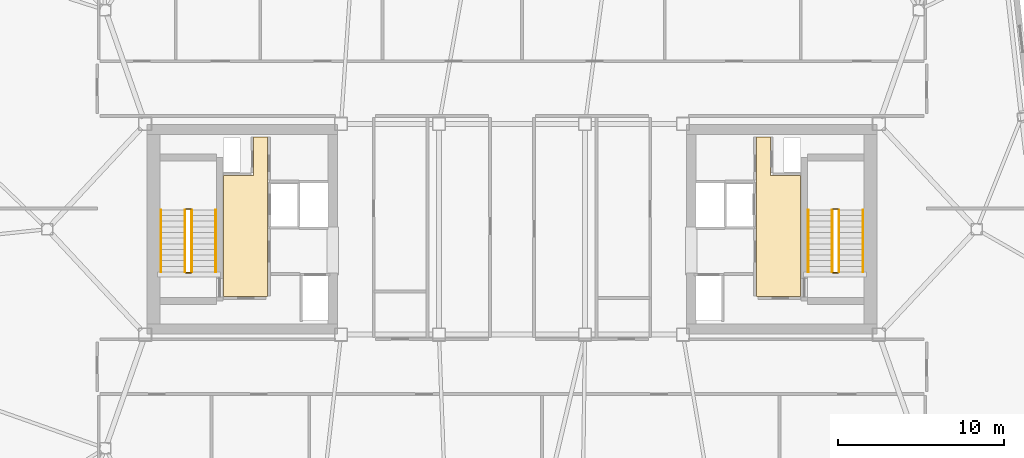
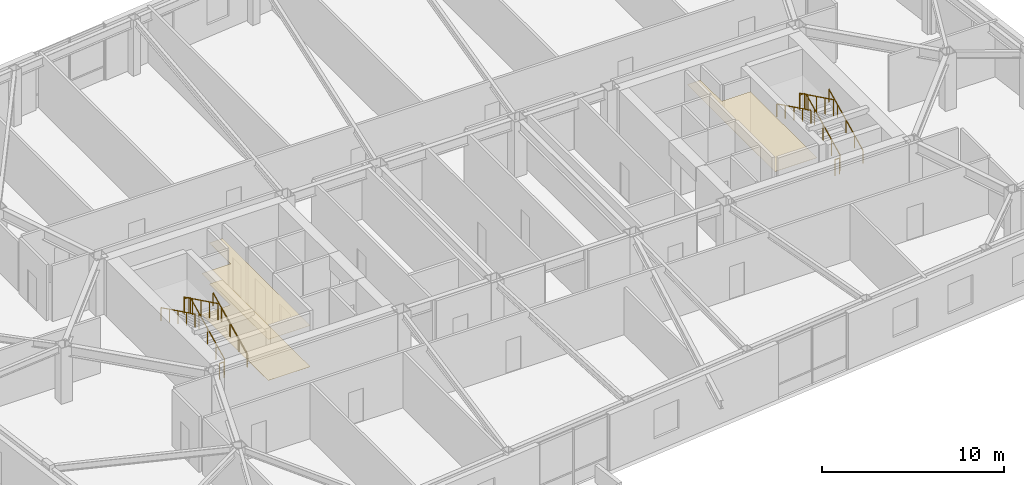
# One storey, part 18 of 18: 12 railings, 3 coverings.
"""IFC4 building model written with IfcOpenShell, lengths in metres."""

import ifcopenshell
import ifcopenshell.guid

model = None  # the IFC model being written
_history = None  # IfcOwnerHistory: only IFC2X3 demands one
_inside = {}  # id of a spatial element -> (the spatial element, [elements in it])
_under = {}  # id of a project, library or spatial element -> (it, [spatial elements below it])
_declared = {}  # id of a project -> (the project, [libraries it declares])
_typed = {}  # id of a type object -> (the type object, [elements of that type])
_made_of = {}  # id of a material, layer set ... -> (it, [elements and type objects made of it])


def new_model(schema):
    """Start an empty IFC model of exactly this schema.

    Asked for "IFC4X3", IfcOpenShell would pick the latest addendum, in which some entities
    have other attributes; the version numbers below select the first issue.
    IFC2X3 requires an IfcOwnerHistory on every rooted entity: one is made here for all.
    """
    global model, _history
    if schema == "IFC4X3":
        model = ifcopenshell.file(schema_version=(4, 3, 0, 0))
    else:
        model = ifcopenshell.file(schema=schema)
    _inside.clear()
    _under.clear()
    _declared.clear()
    _typed.clear()
    _made_of.clear()
    _history = None
    if model.schema == "IFC2X3":
        org = make("IfcOrganization", Name="unknown")
        user = make(
            "IfcPersonAndOrganization",
            ThePerson=make("IfcPerson", FamilyName="unknown"),
            TheOrganization=org,
        )
        app = make(
            "IfcApplication",
            ApplicationDeveloper=org,
            Version="unknown",
            ApplicationFullName="unknown",
            ApplicationIdentifier="unknown",
        )
        _history = make(
            "IfcOwnerHistory",
            OwningUser=user,
            OwningApplication=app,
            ChangeAction="ADDED",
            CreationDate=0,
        )
    return model


def make(cls, **values):
    """One entity of the class cls with the attributes given. An attribute that is None is left unset."""
    return model.create_entity(
        cls, **{name: value for name, value in values.items() if value is not None}
    )


def rooted(cls, **values):
    """An entity with a GlobalId (a new one), such as an element, a storey or a relation."""
    return make(cls, GlobalId=ifcopenshell.guid.new(), OwnerHistory=_history, **values)


def si_unit(unit_type, name, prefix=None):
    """IfcSIUnit, for example si_unit("LENGTHUNIT", "METRE", prefix="MILLI")."""
    return make("IfcSIUnit", UnitType=unit_type, Prefix=prefix, Name=name)


def assignment(units):
    """IfcUnitAssignment: the units of a project."""
    return None if units is None else make("IfcUnitAssignment", Units=units)


def point(xyz):
    """IfcCartesianPoint."""
    return None if xyz is None else make("IfcCartesianPoint", Coordinates=xyz)


def direction(xyz):
    """IfcDirection."""
    return None if xyz is None else make("IfcDirection", DirectionRatios=xyz)


def frame(location, z_axis=None, x_axis=None):
    """IfcAxis2Placement3D, a coordinate frame: its origin and axes. An axis left out is left unset."""
    return make(
        "IfcAxis2Placement3D",
        Location=point(location),
        Axis=direction(z_axis),
        RefDirection=direction(x_axis),
    )


def frame_2d(location, x_axis=None):
    """IfcAxis2Placement2D, a coordinate frame in the plane: its origin and x axis."""
    return make(
        "IfcAxis2Placement2D", Location=point(location), RefDirection=direction(x_axis)
    )


def origin():
    """The frame at (0, 0, 0) with its axes left unset."""
    return frame((0.0, 0.0, 0.0))


def origin_2d():
    """The frame at (0, 0) in the plane with its x axis left unset."""
    return frame_2d((0.0, 0.0))


def place(relative_to, where):
    """IfcLocalPlacement: puts the frame where relative to a parent placement (None: the world)."""
    return make(
        "IfcLocalPlacement", PlacementRelTo=relative_to, RelativePlacement=where
    )


def context(
    kind, dimensions, precision=None, world=None, true_north=None, identifier=None
):
    """IfcGeometricRepresentationContext, for example the 3D "Model" context."""
    return make(
        "IfcGeometricRepresentationContext",
        ContextIdentifier=identifier,
        ContextType=kind,
        CoordinateSpaceDimension=dimensions,
        Precision=precision,
        WorldCoordinateSystem=world,
        TrueNorth=true_north,
    )


def subcontext(parent, identifier, kind, view, scale=None):
    """IfcGeometricRepresentationSubContext, for example "Body" below "Model"."""
    return make(
        "IfcGeometricRepresentationSubContext",
        ContextIdentifier=identifier,
        ContextType=kind,
        ParentContext=parent,
        TargetScale=scale,
        TargetView=view,
    )


def project(units=None, contexts=None):
    """IfcProject with its units and contexts."""
    return rooted(
        "IfcProject",
        Name="project",
        RepresentationContexts=contexts,
        UnitsInContext=assignment(units),
    )


def spatial(cls, under=None, at=None, **own):
    """A site, building, storey or space (cls), placed at a placement, below another one or the project."""
    s = rooted(cls, ObjectPlacement=at, **own)
    if under is not None:
        _under.setdefault(under.id(), (under, []))[1].append(s)
    return s


def polyline(points):
    """IfcPolyline through the points."""
    return make("IfcPolyline", Points=[point(p) for p in points])


def profile(cls, at=None, kind="AREA", **sizes):
    """A parametric profile (cls). Its sizes go by their IFC names, for example OverallWidth=200.0."""
    return make(cls, ProfileType=kind, Position=at, **sizes)


def rectangle(**sizes):
    """IfcRectangleProfileDef."""
    return profile("IfcRectangleProfileDef", **sizes)


def outline(outer, holes=None, kind="AREA"):
    """IfcArbitraryClosedProfileDef: a profile drawn as a closed curve; with holes, ...WithVoids."""
    if holes is None:
        return make("IfcArbitraryClosedProfileDef", ProfileType=kind, OuterCurve=outer)
    return make(
        "IfcArbitraryProfileDefWithVoids",
        ProfileType=kind,
        OuterCurve=outer,
        InnerCurves=holes,
    )


def extrude(swept, where, along, depth):
    """IfcExtrudedAreaSolid: the profile swept, set in the frame where, extruded along a direction by depth."""
    return make(
        "IfcExtrudedAreaSolid",
        SweptArea=swept,
        Position=where,
        ExtrudedDirection=direction(along),
        Depth=depth,
    )


def shape(context_of_items, identifier, shape_type, items):
    """IfcShapeRepresentation: the items that make up one representation, for example the "Body"."""
    return make(
        "IfcShapeRepresentation",
        ContextOfItems=context_of_items,
        RepresentationIdentifier=identifier,
        RepresentationType=shape_type,
        Items=items,
    )


def material(Name=None, Category=None):
    """IfcMaterial."""
    return make("IfcMaterial", Name=Name, Category=Category)


def layer(
    of_material, thickness, ventilated=None, Name=None, Category=None, Priority=None
):
    """IfcMaterialLayer: one layer of a wall or slab, of a material (None: an air gap)."""
    return make(
        "IfcMaterialLayer",
        Material=of_material,
        LayerThickness=thickness,
        IsVentilated=ventilated,
        Name=Name,
        Category=Category,
        Priority=Priority,
    )


def layer_set(layers, Name=None):
    """IfcMaterialLayerSet."""
    return make("IfcMaterialLayerSet", MaterialLayers=layers, LayerSetName=Name)


def made_of(thing, what):
    """Note that an element or type object is made of a material, layer set ...; save() writes the relation."""
    if what is not None:
        _made_of.setdefault(what.id(), (what, []))[1].append(thing)
    return thing


def type_object(cls, material=None, **own):
    """A type object (cls), such as IfcWallType, which elements share."""
    return made_of(rooted(cls, **own), material)


def element(
    cls,
    number,
    at=None,
    inside=None,
    cuts=None,
    type_object=None,
    material=None,
    context=None,
    identifier="Body",
    shape_type=None,
    held_by="IfcProductDefinitionShape",
    body=None,
    shapes=None,
    **own,
):
    """One element of the class cls, such as IfcWall. Its Tag is "e" and its number.

    at: its placement. inside: the storey or other place that contains it. cuts: it is an
    opening in that element (IfcRelVoidsElement). A single representation is given by context,
    identifier, shape_type and body (its items); several are given by shapes. held_by: the class
    of the entity that holds the representations. save() writes the other relations.
    """
    e = rooted(cls, Tag="e%d" % number, ObjectPlacement=at, **own)
    if body is not None:
        shapes = [shape(context, identifier, shape_type, body)]
    if shapes is not None:
        e.Representation = make(held_by, Representations=shapes)
    if inside is not None:
        _inside.setdefault(inside.id(), (inside, []))[1].append(e)
    if cuts is not None:
        rooted(
            "IfcRelVoidsElement", RelatingBuildingElement=cuts, RelatedOpeningElement=e
        )
    if type_object is not None:
        _typed.setdefault(type_object.id(), (type_object, []))[1].append(e)
    return made_of(e, material)


def aggregate(whole, parts):
    """IfcRelAggregates: a whole, such as a stair, and the parts it consists of."""
    return rooted("IfcRelAggregates", RelatingObject=whole, RelatedObjects=parts)


def save(model, path):
    """Write the relations noted so far, then the file.

    IfcRelAggregates (storeys below a building ...), IfcRelContainedInSpatialStructure (elements
    in a storey), IfcRelDefinesByType, IfcRelAssociatesMaterial and IfcRelDeclares: one each for
    every whole, place, type object, material and project.
    """
    for whole, parts in _under.values():
        aggregate(whole, parts)
    for where, things in _inside.values():
        rooted(
            "IfcRelContainedInSpatialStructure",
            RelatedElements=things,
            RelatingStructure=where,
        )
    for kind, things in _typed.values():
        rooted("IfcRelDefinesByType", RelatedObjects=things, RelatingType=kind)
    for what, things in _made_of.values():
        rooted("IfcRelAssociatesMaterial", RelatedObjects=things, RelatingMaterial=what)
    for by, libraries in _declared.values():
        rooted("IfcRelDeclares", RelatingContext=by, RelatedDefinitions=libraries)
    model.write(path)


model = new_model("IFC4")

# Units and contexts
model_context = context("Model", 3, precision=1e-05, world=origin(), true_north=direction((0.0, 1.0)))
body_context = subcontext(model_context, "Body", "Model", "MODEL_VIEW")
ifc_project = project(units=[si_unit("LENGTHUNIT", "METRE"), si_unit("AREAUNIT", "SQUARE_METRE"), si_unit("VOLUMEUNIT", "CUBIC_METRE"), si_unit("PLANEANGLEUNIT", "RADIAN"), si_unit("MASSUNIT", "GRAM", prefix="KILO")], contexts=[model_context])

# Site, building, storey
site_placement = place(None, origin())
site = spatial("IfcSite", under=ifc_project, at=site_placement, CompositionType="ELEMENT")
building_placement = place(site_placement, origin())
building = spatial("IfcBuilding", under=site, at=building_placement, Name="Tavrogorsk Clinical Tower", CompositionType="ELEMENT")
storey_placement = place(building_placement, frame((0.0, 0.0, 230.199951171875)))
storey = spatial("IfcBuildingStorey", under=building, at=storey_placement, Name="L53", CompositionType="ELEMENT", Elevation=230.199951171875)

# Coverings
ifc_material_1 = material(Name="Antibacterial micro-perforated aluminium ceiling", Category="aluminium")
ifc_layer_1 = layer(ifc_material_1, 0.014892578125)
ifc_layer_set_1 = layer_set([ifc_layer_1], Name="Antibacterial micro-perforated aluminium ceiling")
covering_type_1 = type_object("IfcCoveringType", Name="ClinicalCeiling_15", PredefinedType="CEILING", material=ifc_layer_set_1)
covering_1_placement = place(storey_placement, frame((0.0, 0.0, 2.75)))
element("IfcCovering", 1, at=covering_1_placement, inside=storey, type_object=covering_type_1, Name="Core West Firefighting Lift Lobby Acoustic Ceiling", PredefinedType="CEILING", context=body_context, shape_type="SweptSolid", body=[
    extrude(outline(polyline([(-14.719970703125, 5.56005859375), (-14.719970703125, -4.06005859375), (-17.3798828125, -4.06005859375), (-17.3798828125, 3.239990234375), (-15.56005859375, 3.239990234375), (-15.56005859375, 5.56005859375), (-14.719970703125, 5.56005859375)])), origin(), (0.0, 0.0, 1.0), 0.01513671875),
])
covering_2_placement = place(storey_placement, frame((0.0, 0.0, 2.75)))
element("IfcCovering", 2, at=covering_2_placement, inside=storey, type_object=covering_type_1, Name="Core East Firefighting Lift Lobby Acoustic Ceiling", PredefinedType="CEILING", context=body_context, shape_type="SweptSolid", body=[
    extrude(outline(polyline([(17.3798828125, -4.06005859375), (14.719970703125, -4.06005859375), (14.719970703125, 5.56005859375), (15.56005859375, 5.56005859375), (15.56005859375, 3.239990234375), (17.3798828125, 3.239990234375), (17.3798828125, -4.06005859375)])), origin(), (0.0, 0.0, 1.0), 0.01513671875),
])
ifc_material_2 = material(Name="Homogeneous medical conductive PVC flooring")
ifc_layer_2 = layer(ifc_material_2, 0.008056640625)
ifc_layer_set_2 = layer_set([ifc_layer_2], Name="Homogeneous medical conductive PVC flooring")
covering_type_2 = type_object("IfcCoveringType", Name="ResilientVinylFloor_8", PredefinedType="FLOORING", material=ifc_layer_set_2)
covering_3_placement = place(storey_placement, origin())
element("IfcCovering", 3, at=covering_3_placement, inside=storey, type_object=covering_type_2, Name="Core West Firefighting Lift Lobby Conductive Vinyl Flooring", PredefinedType="FLOORING", context=body_context, shape_type="SweptSolid", body=[
    extrude(outline(polyline([(-14.719970703125, 5.56005859375), (-14.719970703125, -4.06005859375), (-17.3798828125, -4.06005859375), (-17.3798828125, 3.239990234375), (-15.56005859375, 3.239990234375), (-15.56005859375, 5.56005859375), (-14.719970703125, 5.56005859375)])), origin(), (0.0, 0.0, 1.0), 0.008056640625),
])

# Railings
ifc_material_3 = material(Name="Galvanised steel S355 safety stairwell guard", Category="steel")
ifc_layer_3 = layer(ifc_material_3, 0.06005859375)
ifc_layer_set_3 = layer_set([ifc_layer_3], Name="Galvanised steel S355 safety stairwell guard")
railing_type_1 = type_object("IfcRailingType", Name="StairGuard_1150", PredefinedType="GUARDRAIL", material=ifc_layer_set_3)
railing_1_placement = place(storey_placement, frame((-19.300048828125, -2.574951171875, 0.166748046875)))
element("IfcRailing", 4, at=railing_1_placement, inside=storey, type_object=railing_type_1, Name="L53 ST-W stair guard 1", PredefinedType="GUARDRAIL", context=body_context, shape_type="SweptSolid", body=[
    extrude(rectangle(XDim=0.048095703125, YDim=0.048095703125, at=origin_2d()), frame((0.0, 0.0, 1.076171875), z_axis=(0.0, 0.897927990467, 0.440142390523), x_axis=(-1.0, 0.0, 0.0)), (0.0, 0.0, 1.0), 4.1650390625),
    extrude(rectangle(XDim=0.0419921875, YDim=0.0419921875, at=origin_2d()), origin(), (0.0, 0.0, 1.0), 1.052001953125),
    extrude(rectangle(XDim=0.0419921875, YDim=0.0419921875, at=origin_2d()), frame((0.0, 0.93505859375, 0.458251953125)), (0.0, 0.0, 1.0), 1.052001953125),
    extrude(rectangle(XDim=0.0419921875, YDim=0.0419921875, at=origin_2d()), frame((0.0, 1.8701171875, 0.91650390625)), (0.0, 0.0, 1.0), 1.052001953125),
    extrude(rectangle(XDim=0.0419921875, YDim=0.0419921875, at=origin_2d()), frame((0.0, 2.804931640625, 1.375)), (0.0, 0.0, 1.0), 1.052001953125),
    extrude(rectangle(XDim=0.0419921875, YDim=0.0419921875, at=origin_2d()), frame((0.0, 3.739990234375, 1.833251953125)), (0.0, 0.0, 1.0), 1.052001953125),
])
railing_2_placement = place(storey_placement, frame((-19.35009765625, 1.215087890625, 2.0)))
element("IfcRailing", 5, at=railing_2_placement, inside=storey, type_object=railing_type_1, Name="L53 ST-W stair guard 2", PredefinedType="GUARDRAIL", context=body_context, shape_type="SweptSolid", body=[
    extrude(rectangle(XDim=0.048095703125, YDim=0.048095703125, at=origin_2d()), frame((0.0, 0.0, 1.076171875), z_axis=(-1.0, 0.0, 0.0), x_axis=(0.0, -1.0, 0.0)), (0.0, 0.0, 1.0), 0.2998046875),
    extrude(rectangle(XDim=0.0419921875, YDim=0.0419921875, at=origin_2d()), origin(), (0.0, 0.0, 1.0), 1.052001953125),
    extrude(rectangle(XDim=0.0419921875, YDim=0.0419921875, at=origin_2d()), frame((-0.2998046875, 0.0, 0.0)), (0.0, 0.0, 1.0), 1.052001953125),
])
railing_3_placement = place(storey_placement, frame((-19.699951171875, 1.1650390625, 2.166748046875)))
element("IfcRailing", 6, at=railing_3_placement, inside=storey, type_object=railing_type_1, Name="L53 ST-W stair guard 3", PredefinedType="GUARDRAIL", context=body_context, shape_type="SweptSolid", body=[
    extrude(rectangle(XDim=0.048095703125, YDim=0.048095703125, at=origin_2d()), frame((0.0, 0.0, 1.076171875), z_axis=(0.0, -0.897927990467, 0.440142390523), x_axis=(1.0, 0.0, 0.0)), (0.0, 0.0, 1.0), 4.1650390625),
    extrude(rectangle(XDim=0.0419921875, YDim=0.0419921875, at=origin_2d()), origin(), (0.0, 0.0, 1.0), 1.052001953125),
    extrude(rectangle(XDim=0.0419921875, YDim=0.0419921875, at=origin_2d()), frame((0.0, -0.93505859375, 0.458251953125)), (0.0, 0.0, 1.0), 1.052001953125),
    extrude(rectangle(XDim=0.0419921875, YDim=0.0419921875, at=origin_2d()), frame((0.0, -1.8701171875, 0.91650390625)), (0.0, 0.0, 1.0), 1.052001953125),
    extrude(rectangle(XDim=0.0419921875, YDim=0.0419921875, at=origin_2d()), frame((0.0, -2.804931640625, 1.375)), (0.0, 0.0, 1.0), 1.052001953125),
    extrude(rectangle(XDim=0.0419921875, YDim=0.0419921875, at=origin_2d()), frame((0.0, -3.739990234375, 1.833251953125)), (0.0, 0.0, 1.0), 1.052001953125),
])
railing_4_placement = place(storey_placement, frame((-19.35009765625, -2.625, 0.0)))
element("IfcRailing", 7, at=railing_4_placement, inside=storey, type_object=railing_type_1, Name="L53 ST-W stair guard 4", PredefinedType="GUARDRAIL", context=body_context, shape_type="SweptSolid", body=[
    extrude(rectangle(XDim=0.048095703125, YDim=0.048095703125, at=origin_2d()), frame((0.0, 0.0, 1.076171875), z_axis=(-1.0, 0.0, 0.0), x_axis=(0.0, -1.0, 0.0)), (0.0, 0.0, 1.0), 0.2998046875),
    extrude(rectangle(XDim=0.0419921875, YDim=0.0419921875, at=origin_2d()), origin(), (0.0, 0.0, 1.0), 1.052001953125),
    extrude(rectangle(XDim=0.0419921875, YDim=0.0419921875, at=origin_2d()), frame((-0.2998046875, 0.0, 0.0)), (0.0, 0.0, 1.0), 1.052001953125),
])
railing_5_placement = place(storey_placement, frame((19.699951171875, -2.574951171875, 0.166748046875)))
element("IfcRailing", 8, at=railing_5_placement, inside=storey, type_object=railing_type_1, Name="L53 ST-E stair guard 1", PredefinedType="GUARDRAIL", context=body_context, shape_type="SweptSolid", body=[
    extrude(rectangle(XDim=0.048095703125, YDim=0.048095703125, at=origin_2d()), frame((0.0, 0.0, 1.076171875), z_axis=(0.0, 0.897927990467, 0.440142390523), x_axis=(-1.0, 0.0, 0.0)), (0.0, 0.0, 1.0), 4.1650390625),
    extrude(rectangle(XDim=0.0419921875, YDim=0.0419921875, at=origin_2d()), origin(), (0.0, 0.0, 1.0), 1.052001953125),
    extrude(rectangle(XDim=0.0419921875, YDim=0.0419921875, at=origin_2d()), frame((0.0, 0.93505859375, 0.458251953125)), (0.0, 0.0, 1.0), 1.052001953125),
    extrude(rectangle(XDim=0.0419921875, YDim=0.0419921875, at=origin_2d()), frame((0.0, 1.8701171875, 0.91650390625)), (0.0, 0.0, 1.0), 1.052001953125),
    extrude(rectangle(XDim=0.0419921875, YDim=0.0419921875, at=origin_2d()), frame((0.0, 2.804931640625, 1.375)), (0.0, 0.0, 1.0), 1.052001953125),
    extrude(rectangle(XDim=0.0419921875, YDim=0.0419921875, at=origin_2d()), frame((0.0, 3.739990234375, 1.833251953125)), (0.0, 0.0, 1.0), 1.052001953125),
])
railing_6_placement = place(storey_placement, frame((19.64990234375, 1.215087890625, 2.0)))
element("IfcRailing", 9, at=railing_6_placement, inside=storey, type_object=railing_type_1, Name="L53 ST-E stair guard 2", PredefinedType="GUARDRAIL", context=body_context, shape_type="SweptSolid", body=[
    extrude(rectangle(XDim=0.048095703125, YDim=0.048095703125, at=origin_2d()), frame((0.0, 0.0, 1.076171875), z_axis=(-1.0, 0.0, 0.0), x_axis=(0.0, -1.0, 0.0)), (0.0, 0.0, 1.0), 0.2998046875),
    extrude(rectangle(XDim=0.0419921875, YDim=0.0419921875, at=origin_2d()), origin(), (0.0, 0.0, 1.0), 1.052001953125),
    extrude(rectangle(XDim=0.0419921875, YDim=0.0419921875, at=origin_2d()), frame((-0.2998046875, 0.0, 0.0)), (0.0, 0.0, 1.0), 1.052001953125),
])
railing_7_placement = place(storey_placement, frame((19.300048828125, 1.1650390625, 2.166748046875)))
element("IfcRailing", 10, at=railing_7_placement, inside=storey, type_object=railing_type_1, Name="L53 ST-E stair guard 3", PredefinedType="GUARDRAIL", context=body_context, shape_type="SweptSolid", body=[
    extrude(rectangle(XDim=0.048095703125, YDim=0.048095703125, at=origin_2d()), frame((0.0, 0.0, 1.076171875), z_axis=(0.0, -0.897927990467, 0.440142390523), x_axis=(1.0, 0.0, 0.0)), (0.0, 0.0, 1.0), 4.1650390625),
    extrude(rectangle(XDim=0.0419921875, YDim=0.0419921875, at=origin_2d()), origin(), (0.0, 0.0, 1.0), 1.052001953125),
    extrude(rectangle(XDim=0.0419921875, YDim=0.0419921875, at=origin_2d()), frame((0.0, -0.93505859375, 0.458251953125)), (0.0, 0.0, 1.0), 1.052001953125),
    extrude(rectangle(XDim=0.0419921875, YDim=0.0419921875, at=origin_2d()), frame((0.0, -1.8701171875, 0.91650390625)), (0.0, 0.0, 1.0), 1.052001953125),
    extrude(rectangle(XDim=0.0419921875, YDim=0.0419921875, at=origin_2d()), frame((0.0, -2.804931640625, 1.375)), (0.0, 0.0, 1.0), 1.052001953125),
    extrude(rectangle(XDim=0.0419921875, YDim=0.0419921875, at=origin_2d()), frame((0.0, -3.739990234375, 1.833251953125)), (0.0, 0.0, 1.0), 1.052001953125),
])
railing_8_placement = place(storey_placement, frame((19.64990234375, -2.625, 0.0)))
element("IfcRailing", 11, at=railing_8_placement, inside=storey, type_object=railing_type_1, Name="L53 ST-E stair guard 4", PredefinedType="GUARDRAIL", context=body_context, shape_type="SweptSolid", body=[
    extrude(rectangle(XDim=0.048095703125, YDim=0.048095703125, at=origin_2d()), frame((0.0, 0.0, 1.076171875), z_axis=(-1.0, 0.0, 0.0), x_axis=(0.0, -1.0, 0.0)), (0.0, 0.0, 1.0), 0.2998046875),
    extrude(rectangle(XDim=0.0419921875, YDim=0.0419921875, at=origin_2d()), origin(), (0.0, 0.0, 1.0), 1.052001953125),
    extrude(rectangle(XDim=0.0419921875, YDim=0.0419921875, at=origin_2d()), frame((-0.2998046875, 0.0, 0.0)), (0.0, 0.0, 1.0), 1.052001953125),
])
ifc_material_4 = material(Name="Stainless steel AISI 304 tubular handrail", Category="steel")
ifc_layer_4 = layer(ifc_material_4, 0.050048828125)
ifc_layer_set_4 = layer_set([ifc_layer_4], Name="Stainless steel AISI 304 tubular handrail")
railing_type_2 = type_object("IfcRailingType", Name="StairHandrail_920", PredefinedType="HANDRAIL", material=ifc_layer_set_4)
railing_9_placement = place(storey_placement, frame((-17.85009765625, -2.574951171875, 0.166748046875)))
element("IfcRailing", 12, at=railing_9_placement, inside=storey, type_object=railing_type_2, Name="L53 ST-W stair handrail 1", PredefinedType="HANDRAIL", context=body_context, shape_type="SweptSolid", body=[
    extrude(rectangle(XDim=0.048095703125, YDim=0.048095703125, at=origin_2d()), frame((0.0, 0.0, 0.8759765625), z_axis=(0.0, 0.897927990467, 0.440142390523), x_axis=(-1.0, 0.0, 0.0)), (0.0, 0.0, 1.0), 4.1650390625),
    extrude(rectangle(XDim=0.0419921875, YDim=0.0419921875, at=origin_2d()), origin(), (0.0, 0.0, 1.0), 0.851806640625),
    extrude(rectangle(XDim=0.0419921875, YDim=0.0419921875, at=origin_2d()), frame((0.0, 0.93505859375, 0.458251953125)), (0.0, 0.0, 1.0), 0.851806640625),
    extrude(rectangle(XDim=0.0419921875, YDim=0.0419921875, at=origin_2d()), frame((0.0, 1.8701171875, 0.91650390625)), (0.0, 0.0, 1.0), 0.851806640625),
    extrude(rectangle(XDim=0.0419921875, YDim=0.0419921875, at=origin_2d()), frame((0.0, 2.804931640625, 1.375)), (0.0, 0.0, 1.0), 0.851806640625),
    extrude(rectangle(XDim=0.0419921875, YDim=0.0419921875, at=origin_2d()), frame((0.0, 3.739990234375, 1.833251953125)), (0.0, 0.0, 1.0), 0.851806640625),
])
railing_10_placement = place(storey_placement, frame((-21.14990234375, 1.1650390625, 2.166748046875)))
element("IfcRailing", 13, at=railing_10_placement, inside=storey, type_object=railing_type_2, Name="L53 ST-W stair handrail 2", PredefinedType="HANDRAIL", context=body_context, shape_type="SweptSolid", body=[
    extrude(rectangle(XDim=0.048095703125, YDim=0.048095703125, at=origin_2d()), frame((0.0, 0.0, 0.8759765625), z_axis=(0.0, -0.897927990467, 0.440142390523), x_axis=(1.0, 0.0, 0.0)), (0.0, 0.0, 1.0), 4.1650390625),
    extrude(rectangle(XDim=0.0419921875, YDim=0.0419921875, at=origin_2d()), origin(), (0.0, 0.0, 1.0), 0.851806640625),
    extrude(rectangle(XDim=0.0419921875, YDim=0.0419921875, at=origin_2d()), frame((0.0, -0.93505859375, 0.458251953125)), (0.0, 0.0, 1.0), 0.851806640625),
    extrude(rectangle(XDim=0.0419921875, YDim=0.0419921875, at=origin_2d()), frame((0.0, -1.8701171875, 0.91650390625)), (0.0, 0.0, 1.0), 0.851806640625),
    extrude(rectangle(XDim=0.0419921875, YDim=0.0419921875, at=origin_2d()), frame((0.0, -2.804931640625, 1.375)), (0.0, 0.0, 1.0), 0.851806640625),
    extrude(rectangle(XDim=0.0419921875, YDim=0.0419921875, at=origin_2d()), frame((0.0, -3.739990234375, 1.833251953125)), (0.0, 0.0, 1.0), 0.851806640625),
])
railing_11_placement = place(storey_placement, frame((21.14990234375, -2.574951171875, 0.166748046875)))
element("IfcRailing", 14, at=railing_11_placement, inside=storey, type_object=railing_type_2, Name="L53 ST-E stair handrail 1", PredefinedType="HANDRAIL", context=body_context, shape_type="SweptSolid", body=[
    extrude(rectangle(XDim=0.048095703125, YDim=0.048095703125, at=origin_2d()), frame((0.0, 0.0, 0.8759765625), z_axis=(0.0, 0.897927990467, 0.440142390523), x_axis=(-1.0, 0.0, 0.0)), (0.0, 0.0, 1.0), 4.1650390625),
    extrude(rectangle(XDim=0.0419921875, YDim=0.0419921875, at=origin_2d()), origin(), (0.0, 0.0, 1.0), 0.851806640625),
    extrude(rectangle(XDim=0.0419921875, YDim=0.0419921875, at=origin_2d()), frame((0.0, 0.93505859375, 0.458251953125)), (0.0, 0.0, 1.0), 0.851806640625),
    extrude(rectangle(XDim=0.0419921875, YDim=0.0419921875, at=origin_2d()), frame((0.0, 1.8701171875, 0.91650390625)), (0.0, 0.0, 1.0), 0.851806640625),
    extrude(rectangle(XDim=0.0419921875, YDim=0.0419921875, at=origin_2d()), frame((0.0, 2.804931640625, 1.375)), (0.0, 0.0, 1.0), 0.851806640625),
    extrude(rectangle(XDim=0.0419921875, YDim=0.0419921875, at=origin_2d()), frame((0.0, 3.739990234375, 1.833251953125)), (0.0, 0.0, 1.0), 0.851806640625),
])
railing_12_placement = place(storey_placement, frame((17.85009765625, 1.1650390625, 2.166748046875)))
element("IfcRailing", 15, at=railing_12_placement, inside=storey, type_object=railing_type_2, Name="L53 ST-E stair handrail 2", PredefinedType="HANDRAIL", context=body_context, shape_type="SweptSolid", body=[
    extrude(rectangle(XDim=0.048095703125, YDim=0.048095703125, at=origin_2d()), frame((0.0, 0.0, 0.8759765625), z_axis=(0.0, -0.897927990467, 0.440142390523), x_axis=(1.0, 0.0, 0.0)), (0.0, 0.0, 1.0), 4.1650390625),
    extrude(rectangle(XDim=0.0419921875, YDim=0.0419921875, at=origin_2d()), origin(), (0.0, 0.0, 1.0), 0.851806640625),
    extrude(rectangle(XDim=0.0419921875, YDim=0.0419921875, at=origin_2d()), frame((0.0, -0.93505859375, 0.458251953125)), (0.0, 0.0, 1.0), 0.851806640625),
    extrude(rectangle(XDim=0.0419921875, YDim=0.0419921875, at=origin_2d()), frame((0.0, -1.8701171875, 0.91650390625)), (0.0, 0.0, 1.0), 0.851806640625),
    extrude(rectangle(XDim=0.0419921875, YDim=0.0419921875, at=origin_2d()), frame((0.0, -2.804931640625, 1.375)), (0.0, 0.0, 1.0), 0.851806640625),
    extrude(rectangle(XDim=0.0419921875, YDim=0.0419921875, at=origin_2d()), frame((0.0, -3.739990234375, 1.833251953125)), (0.0, 0.0, 1.0), 0.851806640625),
])

save(model, "model.ifc")
